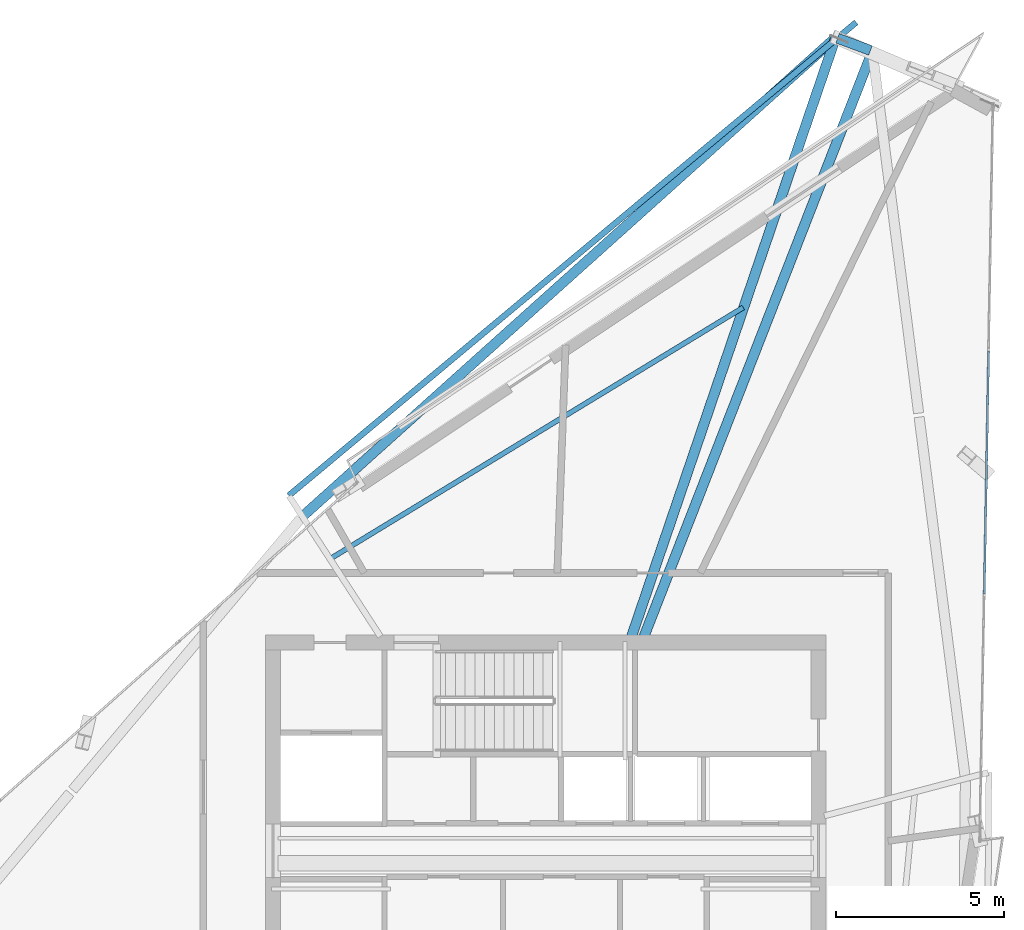
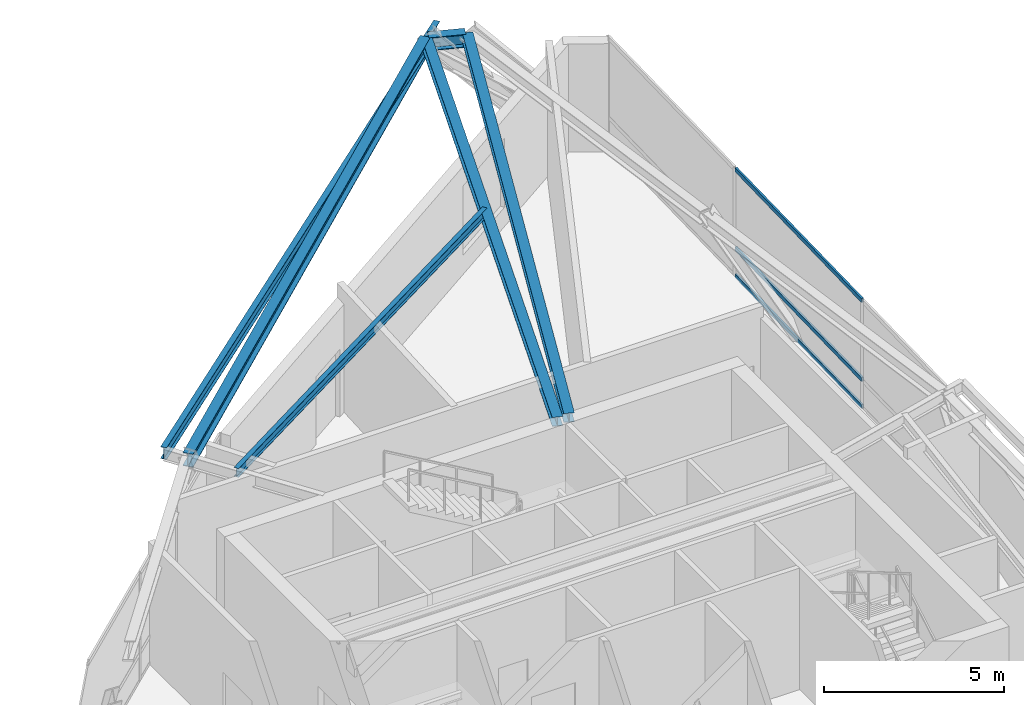
# One storey, part 12 of 22: 6 beams, 3 members, 1 element without a shape of its own.
"""IFC4 building model written with IfcOpenShell, lengths in metres."""

from ifc_helpers import new_model, si_unit, direction, frame, origin, origin_2d, place, context, subcontext, project, spatial, hollow_rectangle, i_section, extrude, source, transform, mapped, material, material_profile, profile_set, type_object, element, aggregate, save


model = new_model("IFC4")

# Units and contexts
model_context = context("Model", 3, precision=1e-05, world=origin(), true_north=direction((0.0, 1.0)))
body_context = subcontext(model_context, "Body", "Model", "MODEL_VIEW")
ifc_project = project(units=[si_unit("LENGTHUNIT", "METRE"), si_unit("AREAUNIT", "SQUARE_METRE"), si_unit("VOLUMEUNIT", "CUBIC_METRE"), si_unit("PLANEANGLEUNIT", "RADIAN"), si_unit("MASSUNIT", "GRAM", prefix="KILO")], contexts=[model_context])

# Site, building, storey
site_placement = place(None, origin())
site = spatial("IfcSite", under=ifc_project, at=site_placement, CompositionType="ELEMENT")
building_placement = place(site_placement, origin())
building = spatial("IfcBuilding", under=site, at=building_placement, Name="Olszyna Solenne Hotel", CompositionType="ELEMENT")
storey_placement = place(building_placement, frame((0.0, 0.0, 286.10009765625)))
storey = spatial("IfcBuildingStorey", under=building, at=storey_placement, Name="L76", CompositionType="ELEMENT", Elevation=286.10009765625)

# Beams
ifc_material_1 = material(Name="Steel S355J2", Category="steel")
ifc_material_profile_1 = material_profile(ifc_material_1, i_section(OverallWidth=0.300048828125, OverallDepth=0.449951171875, WebThickness=0.013916015625, FlangeThickness=0.02587890625, at=origin_2d()), Name="HEB 450", Category="load-bearing")
ifc_profile_set_1 = profile_set([ifc_material_profile_1], Name="Steel S355J2")
beam_type_1 = type_object("IfcBeamType", Name="BM-S4", PredefinedType="BEAM", material=ifc_profile_set_1)
shared_shape_1 = source(origin(), body_context, "Body", "SweptSolid", [
    extrude(i_section(OverallWidth=0.300048828125, OverallDepth=0.449951171875, WebThickness=0.013916015625, FlangeThickness=0.02587890625, at=origin_2d()), origin(), (0.0, 0.0, 1.0), 1.04541015625),
])
beam_1_placement = place(storey_placement, frame((47.674072265625, 51.561767578125, 3.89501953125), z_axis=(-0.93759937639, 0.347717427508, 0.0), x_axis=(-0.347717427508, -0.93759937639, 0.0)))
element("IfcBeam", 1, at=beam_1_placement, inside=storey, type_object=beam_type_1, Name="Perimeter spandrel beam BM-S4 B-L76-2224", PredefinedType="BEAM", context=body_context, shape_type="MappedRepresentation", body=[
    mapped(shared_shape_1, transform((0.0, 0.0, 0.0), x_axis=(1.0, 0.0, 0.0), y_axis=(0.0, 1.0, 0.0), z_axis=(0.0, 0.0, 1.0), scale=1.0)),
])
shared_shape_2 = source(origin(), body_context, "Body", "SweptSolid", [
    extrude(i_section(OverallWidth=0.300048828125, OverallDepth=0.449951171875, WebThickness=0.013916015625, FlangeThickness=0.02587890625, at=origin_2d()), origin(), (0.0, 0.0, 1.0), 21.248046875),
])
beam_2_placement = place(storey_placement, frame((46.593017578125, 51.906005859375, 3.89501953125), z_axis=(-0.743990190914, -0.668190538562, 0.0), x_axis=(0.668190538562, -0.743990190914, 0.0)))
element("IfcBeam", 2, at=beam_2_placement, inside=storey, type_object=beam_type_1, Name="Perimeter spandrel beam BM-S4 B-L76-2225", PredefinedType="BEAM", context=body_context, shape_type="MappedRepresentation", body=[
    mapped(shared_shape_2, transform((0.0, 0.0, 0.0), x_axis=(1.0, 0.0, 0.0), y_axis=(0.0, 1.0, 0.0), z_axis=(0.0, 0.0, 1.0), scale=1.0)),
])
ifc_material_profile_2 = material_profile(ifc_material_1, i_section(OverallWidth=0.300048828125, OverallDepth=0.31005859375, WebThickness=0.009033203125, FlangeThickness=0.015380859375, at=origin_2d()), Name="HEA 320", Category="load-bearing")
ifc_profile_set_2 = profile_set([ifc_material_profile_2], Name="Steel S355J2")
beam_type_2 = type_object("IfcBeamType", Name="BM-G3", PredefinedType="BEAM", material=ifc_profile_set_2)
shared_shape_3 = source(origin(), body_context, "Body", "SweptSolid", [
    extrude(i_section(OverallWidth=0.300048828125, OverallDepth=0.31005859375, WebThickness=0.009033203125, FlangeThickness=0.015380859375, at=origin_2d()), origin(), (0.0, 0.0, 1.0), 18.657470703125),
])
beam_3_placement = place(storey_placement, frame((47.70849609375, 51.485107421875, 3.96484375), z_axis=(-0.363446927233, -0.931614904928, 0.0), x_axis=(0.931614904928, -0.363446927233, 0.0)))
element("IfcBeam", 3, at=beam_3_placement, inside=storey, type_object=beam_type_2, Name="Radial floor girder BM-G3 B-L76-2236", PredefinedType="BEAM", context=body_context, shape_type="MappedRepresentation", body=[
    mapped(shared_shape_3, transform((0.0, 0.0, 0.0), x_axis=(1.0, 0.0, 0.0), y_axis=(0.0, 1.0, 0.0), z_axis=(0.0, 0.0, 1.0), scale=1.0)),
])
shared_shape_4 = source(origin(), body_context, "Body", "SweptSolid", [
    extrude(i_section(OverallWidth=0.300048828125, OverallDepth=0.31005859375, WebThickness=0.009033203125, FlangeThickness=0.015380859375, at=origin_2d()), origin(), (0.0, 0.0, 1.0), 18.791015625),
])
beam_4_placement = place(storey_placement, frame((46.6181640625, 51.889404296875, 3.96484375), z_axis=(-0.322562290715, -0.946548238923, 0.0), x_axis=(0.946548238923, -0.322562290715, 0.0)))
element("IfcBeam", 4, at=beam_4_placement, inside=storey, type_object=beam_type_2, Name="Radial floor girder BM-G3 B-L76-2237", PredefinedType="BEAM", context=body_context, shape_type="MappedRepresentation", body=[
    mapped(shared_shape_4, transform((0.0, 0.0, 0.0), x_axis=(1.0, 0.0, 0.0), y_axis=(0.0, 1.0, 0.0), z_axis=(0.0, 0.0, 1.0), scale=1.0)),
])
ifc_material_profile_3 = material_profile(ifc_material_1, i_section(OverallWidth=0.14990234375, OverallDepth=0.300048828125, WebThickness=0.007080078125, FlangeThickness=0.0107421875, at=origin_2d()), Name="IPE 300", Category="load-bearing")
ifc_profile_set_3 = profile_set([ifc_material_profile_3], Name="Steel S355J2")
beam_type_3 = type_object("IfcBeamType", Name="JS-02", PredefinedType="JOIST", material=ifc_profile_set_3)
shared_shape_5 = source(origin(), body_context, "Body", "SweptSolid", [
    extrude(i_section(OverallWidth=0.14990234375, OverallDepth=0.300048828125, WebThickness=0.007080078125, FlangeThickness=0.0107421875, at=origin_2d()), origin(), (0.0, 0.0, 1.0), 14.388916015625),
])
beam_5_placement = place(storey_placement, frame((43.884033203125, 43.90625, 3.969970703125), z_axis=(-0.854251301886, -0.519860282409, 0.0), x_axis=(0.519860282409, -0.854251301886, 0.0)))
element("IfcBeam", 5, at=beam_5_placement, inside=storey, type_object=beam_type_3, Name="Secondary composite floor joist JS-02 B-L76-2246", PredefinedType="JOIST", context=body_context, shape_type="MappedRepresentation", body=[
    mapped(shared_shape_5, transform((0.0, 0.0, 0.0), x_axis=(1.0, 0.0, 0.0), y_axis=(0.0, 1.0, 0.0), z_axis=(0.0, 0.0, 1.0), scale=1.0)),
])
ifc_material_profile_4 = material_profile(ifc_material_1, i_section(OverallWidth=0.179931640625, OverallDepth=0.39990234375, WebThickness=0.008544921875, FlangeThickness=0.013427734375, at=origin_2d()), Name="IPE 400", Category="load-bearing")
ifc_profile_set_4 = profile_set([ifc_material_profile_4], Name="Steel S355J2")
beam_type_4 = type_object("IfcBeamType", Name="BM-F5", PredefinedType="BEAM", material=ifc_profile_set_4)
shared_shape_6 = source(origin(), body_context, "Body", "SweptSolid", [
    extrude(i_section(OverallWidth=0.179931640625, OverallDepth=0.39990234375, WebThickness=0.008544921875, FlangeThickness=0.013427734375, at=origin_2d()), origin(), (0.0, 0.0, 1.0), 22.0078125),
])
beam_6_placement = place(storey_placement, frame((47.2490234375, 52.39990234375, 3.919921875), z_axis=(-0.767950241365, -0.640509505618, 0.0), x_axis=(0.640509505618, -0.767950241365, 0.0)))
element("IfcBeam", 6, at=beam_6_placement, inside=storey, type_object=beam_type_4, Name="Loggia outer edge beam BM-F5 B-L76-2249", PredefinedType="BEAM", context=body_context, shape_type="MappedRepresentation", body=[
    mapped(shared_shape_6, transform((0.0, 0.0, 0.0), x_axis=(1.0, 0.0, 0.0), y_axis=(0.0, 1.0, 0.0), z_axis=(0.0, 0.0, 1.0), scale=1.0)),
])

# Curtain wall, members
ifc_material_2 = material(Name="Anodised bronze aluminium", Category="aluminium")
curtain_wall_type = type_object("IfcCurtainWallType", Name="CW-SYS-7", PredefinedType="NOTDEFINED", material=ifc_material_2)
curtain_wall_placement = place(storey_placement, origin())
curtain_wall = element("IfcCurtainWall", 7, at=curtain_wall_placement, inside=storey, type_object=curtain_wall_type, Name="Unitised curtain wall CW-SYS-7 CW-L76-03", PredefinedType="NOTDEFINED")
ifc_material_profile_5 = material_profile(ifc_material_2, hollow_rectangle(XDim=0.06494140625, YDim=0.139892578125, WallThickness=0.00390625, at=origin_2d()), Name="TRAN 140x65x4", Category="load-bearing")
ifc_profile_set_5 = profile_set([ifc_material_profile_5], Name="Anodised bronze aluminium")
member_type = type_object("IfcMemberType", Name="CW-T2", PredefinedType="USERDEFINED", material=ifc_profile_set_5)
shared_shape_7 = source(origin(), body_context, "Body", "SweptSolid", [
    extrude(hollow_rectangle(XDim=0.06494140625, YDim=0.139892578125, WallThickness=0.00390625, at=origin_2d()), origin(), (0.0, 0.0, 1.0), 7.243408203125),
])
member_1_placement = place(storey_placement, frame((51.06396484375, 35.369873046875, 0.032470703125), z_axis=(0.017931312892, 0.999839221084, 0.0), x_axis=(-0.999839221084, 0.017931312892, 0.0)))
member_1 = element("IfcMember", 8, at=member_1_placement, type_object=member_type, Name="Curtain-wall transom CW-T2 CT-L76-03-04", ObjectType="TRANSOM", PredefinedType="USERDEFINED", context=body_context, shape_type="MappedRepresentation", body=[
    mapped(shared_shape_7, transform((0.0, 0.0, 0.0), x_axis=(1.0, 0.0, 0.0), y_axis=(0.0, 1.0, 0.0), z_axis=(0.0, 0.0, 1.0), scale=1.0)),
])
member_2_placement = place(storey_placement, frame((51.06396484375, 35.369873046875, 0.949951171875), z_axis=(0.017931312892, 0.999839221084, 0.0), x_axis=(-0.999839221084, 0.017931312892, 0.0)))
member_2 = element("IfcMember", 9, at=member_2_placement, type_object=member_type, Name="Curtain-wall transom CW-T2 CT-L76-03-05", ObjectType="TRANSOM", PredefinedType="USERDEFINED", context=body_context, shape_type="MappedRepresentation", body=[
    mapped(shared_shape_7, transform((0.0, 0.0, 0.0), x_axis=(1.0, 0.0, 0.0), y_axis=(0.0, 1.0, 0.0), z_axis=(0.0, 0.0, 1.0), scale=1.0)),
])
member_3_placement = place(storey_placement, frame((51.06396484375, 35.369873046875, 3.62939453125), z_axis=(0.017931312892, 0.999839221084, 0.0), x_axis=(-0.999839221084, 0.017931312892, 0.0)))
member_3 = element("IfcMember", 10, at=member_3_placement, type_object=member_type, Name="Curtain-wall transom CW-T2 CT-L76-03-06", ObjectType="TRANSOM", PredefinedType="USERDEFINED", context=body_context, shape_type="MappedRepresentation", body=[
    mapped(shared_shape_7, transform((0.0, 0.0, 0.0), x_axis=(1.0, 0.0, 0.0), y_axis=(0.0, 1.0, 0.0), z_axis=(0.0, 0.0, 1.0), scale=1.0)),
])
aggregate(curtain_wall, [member_1, member_2, member_3])

save(model, "model.ifc")
